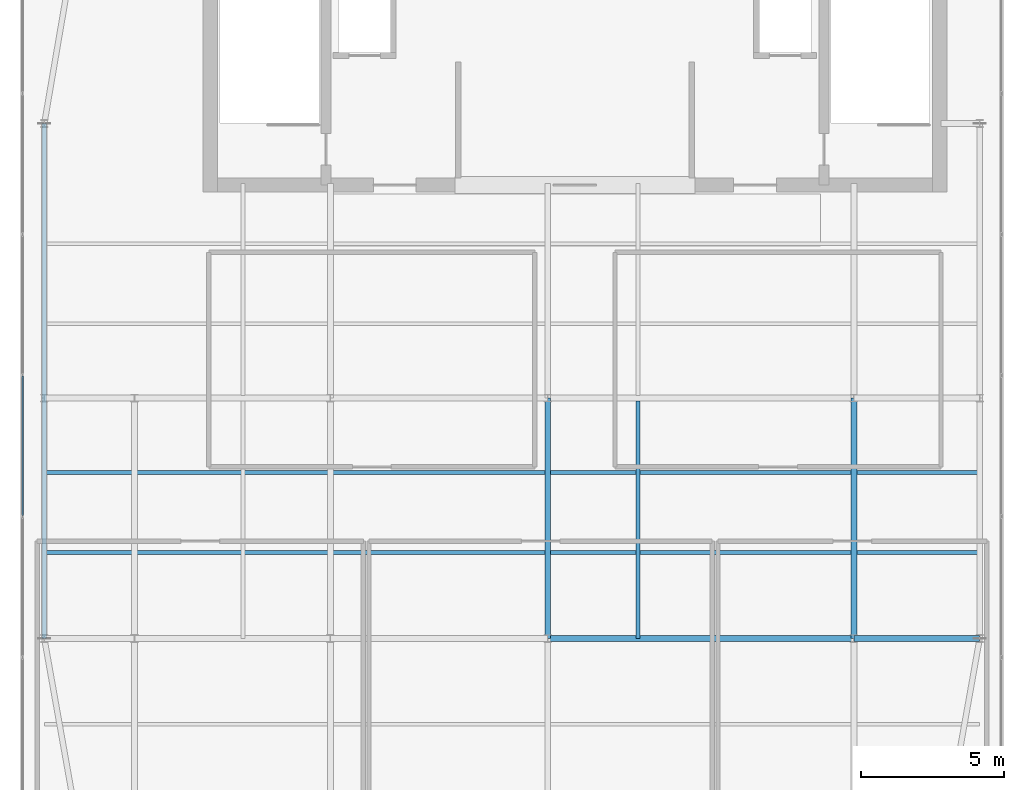
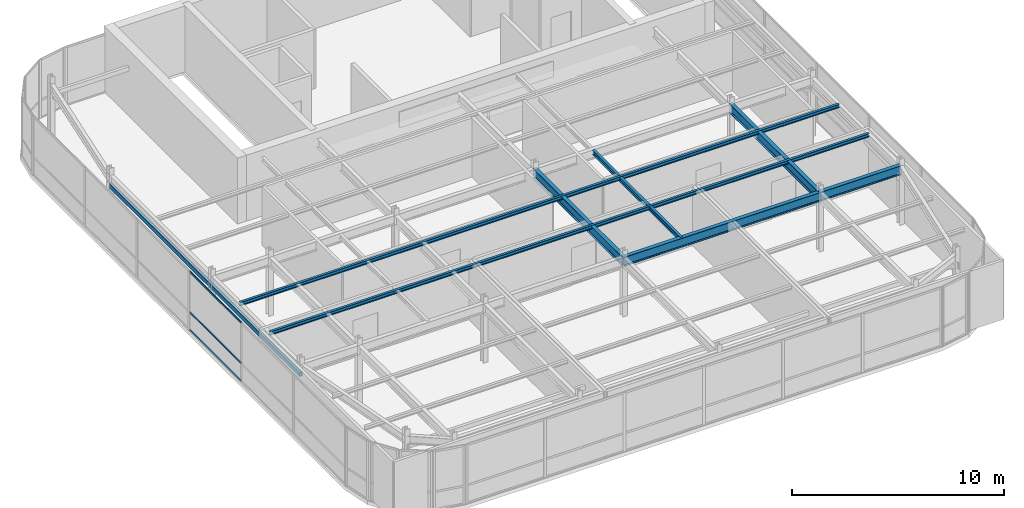
# One storey, part 15 of 35: 6 members, 5 beams, 1 element without a shape of its own.
"""IFC4 building model written with IfcOpenShell, lengths in metres."""

from ifc_helpers import new_model, si_unit, direction, frame, origin, origin_2d, place, context, subcontext, project, spatial, hollow_rectangle, i_section, extrude, source, transform, mapped, material, layer, layer_set, material_profile, profile_set, type_object, type_shapes, element, aggregate, save


model = new_model("IFC4")

# Units and contexts
model_context = context("Model", 3, precision=1e-05, world=origin(), true_north=direction((0.0, 1.0)))
body_context = subcontext(model_context, "Body", "Model", "MODEL_VIEW")
ifc_project = project(units=[si_unit("LENGTHUNIT", "METRE"), si_unit("AREAUNIT", "SQUARE_METRE"), si_unit("VOLUMEUNIT", "CUBIC_METRE"), si_unit("PLANEANGLEUNIT", "RADIAN"), si_unit("MASSUNIT", "GRAM", prefix="KILO")], contexts=[model_context])

# Site, building, storey
site_placement = place(None, origin())
site = spatial("IfcSite", under=ifc_project, at=site_placement, CompositionType="ELEMENT")
building_placement = place(site_placement, origin())
building = spatial("IfcBuilding", under=site, at=building_placement, Name="Tolvann Quenvar Hotel", CompositionType="ELEMENT")
storey_placement = place(building_placement, frame((0.0, 0.0, 309.949951171875)))
storey = spatial("IfcBuildingStorey", under=building, at=storey_placement, Name="L82", CompositionType="ELEMENT", Elevation=309.949951171875)

# Beams
ifc_material_1 = material(Name="Steel Grade 350", Category="steel")
ifc_material_profile_1 = material_profile(ifc_material_1, i_section(OverallWidth=0.208984375, OverallDepth=0.532958984375, WebThickness=0.01025390625, FlangeThickness=0.015625, FilletRadius=0.013916015625, at=origin_2d()), Name="530UB92")
ifc_profile_set_1 = profile_set([ifc_material_profile_1], Name="Steel Grade 350")
beam_type_1 = type_object("IfcBeamType", Name="BM_GIRD_530UB92", PredefinedType="BEAM", material=ifc_profile_set_1)
shared_shape_1 = source(origin(), body_context, "Body", "SweptSolid", [
    extrude(i_section(OverallWidth=0.208984375, OverallDepth=0.532958984375, WebThickness=0.01025390625, FlangeThickness=0.015625, FilletRadius=0.013916015625, at=origin_2d()), origin(), (0.0, 0.0, 1.0), 8.39990234375),
])
for number, where, z_axis, x_axis, name in (
    (1, (22.050048828125, 16.0, 3.133544921875), (0.0, 1.0, 0.0), (-1.0, 0.0, 0.0), "BM-L82-NS-E4-E5"),
    (2, (32.75, 16.0, 3.133544921875), (0.0, 1.0, 0.0), (-1.0, 0.0, 0.0), "BM-L82-NS-FP4-FP5"),
):
    element("IfcBeam", number, at=place(storey_placement, frame(where, z_axis=z_axis, x_axis=x_axis)), inside=storey, type_object=beam_type_1, Name=name, PredefinedType="BEAM", context=body_context, shape_type="MappedRepresentation", body=[
        mapped(shared_shape_1, transform((0.0, 0.0, 0.0), x_axis=(1.0, 0.0, 0.0), y_axis=(0.0, 1.0, 0.0), z_axis=(0.0, 0.0, 1.0), scale=1.0)),
    ])
shared_shape_2 = source(origin(), body_context, "Body", "SweptSolid", [
    extrude(i_section(OverallWidth=0.208984375, OverallDepth=0.532958984375, WebThickness=0.01025390625, FlangeThickness=0.015625, FilletRadius=0.013916015625, at=origin_2d()), origin(), (0.0, 0.0, 1.0), 10.699951171875),
])
beam_1_placement = place(storey_placement, frame((22.050048828125, 16.0, 3.133544921875), z_axis=(1.0, 0.0, 0.0), x_axis=(0.0, 1.0, 0.0)))
element("IfcBeam", 3, at=beam_1_placement, inside=storey, type_object=beam_type_1, Name="BM-L82-EW-4-E4-FP4", PredefinedType="BEAM", context=body_context, shape_type="MappedRepresentation", body=[
    mapped(shared_shape_2, transform((0.0, 0.0, 0.0), x_axis=(1.0, 0.0, 0.0), y_axis=(0.0, 1.0, 0.0), z_axis=(0.0, 0.0, 1.0), scale=1.0)),
])

# Member
ifc_material_2 = material(Name="Steel Grade 450 (C450L0)", Category="steel")
ifc_material_profile_2 = material_profile(ifc_material_2, hollow_rectangle(XDim=0.14990234375, YDim=0.25, WallThickness=0.009033203125, at=origin_2d()), Name="250x150x9RHS")
ifc_profile_set_2 = profile_set([ifc_material_profile_2], Name="Steel Grade 450 (C450L0)")
member_type_1 = type_object("IfcMemberType", Name="MEM_CROWN_250RHS", PredefinedType="USERDEFINED", material=ifc_profile_set_2)
shared_shape_3 = source(origin(), body_context, "Body", "SweptSolid", [
    extrude(hollow_rectangle(XDim=0.14990234375, YDim=0.25, WallThickness=0.009033203125, at=origin_2d()), origin(), (0.0, 0.0, 1.0), 18.0),
])
type_shapes(member_type_1, [shared_shape_3])
member_1_placement = place(storey_placement, frame((4.449951171875, 16.0, 2.75), z_axis=(0.0, 1.0, 0.0), x_axis=(-1.0, 0.0, 0.0)))
element("IfcMember", 4, at=member_1_placement, inside=storey, type_object=member_type_1, Name="Crown Frame Ring Member (L82-2)", ObjectType="CROWN FRAME", PredefinedType="USERDEFINED", context=body_context, shape_type="MappedRepresentation", body=[
    mapped(shared_shape_3, transform((0.0, 0.0, 0.0), x_axis=(1.0, 0.0, 0.0), y_axis=(0.0, 1.0, 0.0), z_axis=(0.0, 0.0, 1.0), scale=1.0)),
])

# Beams
shared_shape_4 = source(origin(), body_context, "Body", "SweptSolid", [
    extrude(i_section(OverallWidth=0.208984375, OverallDepth=0.532958984375, WebThickness=0.01025390625, FlangeThickness=0.015625, FilletRadius=0.013916015625, at=origin_2d()), origin(), (0.0, 0.0, 1.0), 4.39990234375),
])
type_shapes(beam_type_1, [shared_shape_1, shared_shape_2, shared_shape_4])
beam_2_placement = place(storey_placement, frame((32.75, 16.0, 3.133544921875), z_axis=(1.0, 0.0, 0.0), x_axis=(0.0, 1.0, 0.0)))
element("IfcBeam", 5, at=beam_2_placement, inside=storey, type_object=beam_type_1, Name="BM-L82-EW-4-FP4-G4", PredefinedType="BEAM", context=body_context, shape_type="MappedRepresentation", body=[
    mapped(shared_shape_4, transform((0.0, 0.0, 0.0), x_axis=(1.0, 0.0, 0.0), y_axis=(0.0, 1.0, 0.0), z_axis=(0.0, 0.0, 1.0), scale=1.0)),
])
ifc_material_profile_3 = material_profile(ifc_material_1, i_section(OverallWidth=0.14599609375, OverallDepth=0.256103515625, WebThickness=0.00634765625, FlangeThickness=0.010986328125, FilletRadius=0.0087890625, at=origin_2d()), Name="250UB37")
ifc_profile_set_3 = profile_set([ifc_material_profile_3], Name="Steel Grade 350")
beam_type_2 = type_object("IfcBeamType", Name="BM_JOIST_250UB37", PredefinedType="JOIST", material=ifc_profile_set_3)
shared_shape_5 = source(origin(), body_context, "Body", "SweptSolid", [
    extrude(i_section(OverallWidth=0.14599609375, OverallDepth=0.256103515625, WebThickness=0.00634765625, FlangeThickness=0.010986328125, FilletRadius=0.0087890625, at=origin_2d()), origin(), (0.0, 0.0, 1.0), 8.301513671875),
])
type_shapes(beam_type_2, [shared_shape_5])
beam_3_placement = place(storey_placement, frame((25.199951171875, 16.0, 3.27197265625), z_axis=(0.0, 1.0, 0.0), x_axis=(-1.0, 0.0, 0.0)))
element("IfcBeam", 6, at=beam_3_placement, inside=storey, type_object=beam_type_2, Name="BJ-L82-252-160", PredefinedType="JOIST", context=body_context, shape_type="MappedRepresentation", body=[
    mapped(shared_shape_5, transform((0.0, 0.0, 0.0), x_axis=(1.0, 0.0, 0.0), y_axis=(0.0, 1.0, 0.0), z_axis=(0.0, 0.0, 1.0), scale=1.0)),
])

# Members
ifc_material_profile_4 = material_profile(ifc_material_1, i_section(OverallWidth=0.134033203125, OverallDepth=0.20703125, WebThickness=0.00634765625, FlangeThickness=0.009521484375, FilletRadius=0.0087890625, at=origin_2d()), Name="200UB30")
ifc_profile_set_4 = profile_set([ifc_material_profile_4], Name="Steel Grade 350")
member_type_2 = type_object("IfcMemberType", Name="MEM_PURL_200UB", PredefinedType="PURLIN", material=ifc_profile_set_4)
shared_shape_6 = source(origin(), body_context, "Body", "SweptSolid", [
    extrude(i_section(OverallWidth=0.134033203125, OverallDepth=0.20703125, WebThickness=0.00634765625, FlangeThickness=0.009521484375, FilletRadius=0.0087890625, at=origin_2d()), origin(), (0.0, 0.0, 1.0), 32.699951171875),
])
type_shapes(member_type_2, [shared_shape_6])
for number, where, z_axis, x_axis, name in (
    (7, (4.449951171875, 19.0, 3.296630859375), (1.0, 0.0, 0.0), (0.0, 1.0, 0.0), "Lantern Roof Purlin PU-3"),
    (8, (4.449951171875, 21.800048828125, 3.296630859375), (1.0, 0.0, 0.0), (0.0, 1.0, 0.0), "Lantern Roof Purlin PU-4"),
):
    element("IfcMember", number, at=place(storey_placement, frame(where, z_axis=z_axis, x_axis=x_axis)), inside=storey, type_object=member_type_2, Name=name, PredefinedType="PURLIN", context=body_context, shape_type="MappedRepresentation", body=[
        mapped(shared_shape_6, transform((0.0, 0.0, 0.0), x_axis=(1.0, 0.0, 0.0), y_axis=(0.0, 1.0, 0.0), z_axis=(0.0, 0.0, 1.0), scale=1.0)),
    ])

# Curtain wall, members
ifc_material_3 = material(Name="Thermally broken anodised architectural aluminium 6063-T6 and laminated low-E glass", Category="aluminium")
ifc_layer = layer(ifc_material_3, 0.179931640625)
ifc_layer_set = layer_set([ifc_layer], Name="Thermally broken anodised architectural aluminium 6063-T6 and laminated low-E glass")
curtain_wall_type = type_object("IfcCurtainWallType", Name="CW_SYS_LANT_06", PredefinedType="USERDEFINED", material=ifc_layer_set)
curtain_wall_placement = place(storey_placement, origin())
curtain_wall = element("IfcCurtainWall", 9, at=curtain_wall_placement, inside=storey, type_object=curtain_wall_type, Name="Curtain Wall CW-LANT-06 (CWR-L82-E19)", ObjectType="UNITISED CURTAIN WALL", PredefinedType="USERDEFINED")
ifc_material_4 = material(Name="Anodised architectural aluminium 6063-T6 framing", Category="aluminium")
ifc_material_profile_5 = material_profile(ifc_material_4, hollow_rectangle(XDim=0.050048828125, YDim=0.10009765625, WallThickness=0.0029296875, at=origin_2d()), Name="100x50x3RHS")
ifc_profile_set_5 = profile_set([ifc_material_profile_5], Name="Anodised architectural aluminium 6063-T6 framing")
member_type_3 = type_object("IfcMemberType", Name="CW_TRAN_100x50", PredefinedType="USERDEFINED", material=ifc_profile_set_5)
shared_shape_7 = source(origin(), body_context, "Body", "SweptSolid", [
    extrude(hollow_rectangle(XDim=0.050048828125, YDim=0.10009765625, WallThickness=0.0029296875, at=origin_2d()), origin(), (0.0, 0.0, 1.0), 4.862548828125),
])
type_shapes(member_type_3, [shared_shape_7])
member_2_placement = place(storey_placement, frame((3.68994140625, 25.16748046875, 0.025146484375), z_axis=(0.0, -1.0, 0.0), x_axis=(1.0, 0.0, 0.0)))
member_2 = element("IfcMember", 10, at=member_2_placement, type_object=member_type_3, Name="CW-LANT-06 transom 4.1", ObjectType="TRANSOM", PredefinedType="USERDEFINED", context=body_context, shape_type="MappedRepresentation", body=[
    mapped(shared_shape_7, transform((0.0, 0.0, 0.0), x_axis=(1.0, 0.0, 0.0), y_axis=(0.0, 1.0, 0.0), z_axis=(0.0, 0.0, 1.0), scale=1.0)),
])
member_3_placement = place(storey_placement, frame((3.68994140625, 25.16748046875, 1.050048828125), z_axis=(0.0, -1.0, 0.0), x_axis=(1.0, 0.0, 0.0)))
member_3 = element("IfcMember", 11, at=member_3_placement, type_object=member_type_3, Name="CW-LANT-06 transom 4.2", ObjectType="TRANSOM", PredefinedType="USERDEFINED", context=body_context, shape_type="MappedRepresentation", body=[
    mapped(shared_shape_7, transform((0.0, 0.0, 0.0), x_axis=(1.0, 0.0, 0.0), y_axis=(0.0, 1.0, 0.0), z_axis=(0.0, 0.0, 1.0), scale=1.0)),
])
member_4_placement = place(storey_placement, frame((3.68994140625, 25.16748046875, 3.375), z_axis=(0.0, -1.0, 0.0), x_axis=(1.0, 0.0, 0.0)))
member_4 = element("IfcMember", 12, at=member_4_placement, type_object=member_type_3, Name="CW-LANT-06 transom 4.3", ObjectType="TRANSOM", PredefinedType="USERDEFINED", context=body_context, shape_type="MappedRepresentation", body=[
    mapped(shared_shape_7, transform((0.0, 0.0, 0.0), x_axis=(1.0, 0.0, 0.0), y_axis=(0.0, 1.0, 0.0), z_axis=(0.0, 0.0, 1.0), scale=1.0)),
])
aggregate(curtain_wall, [member_2, member_3, member_4])

save(model, "model.ifc")
